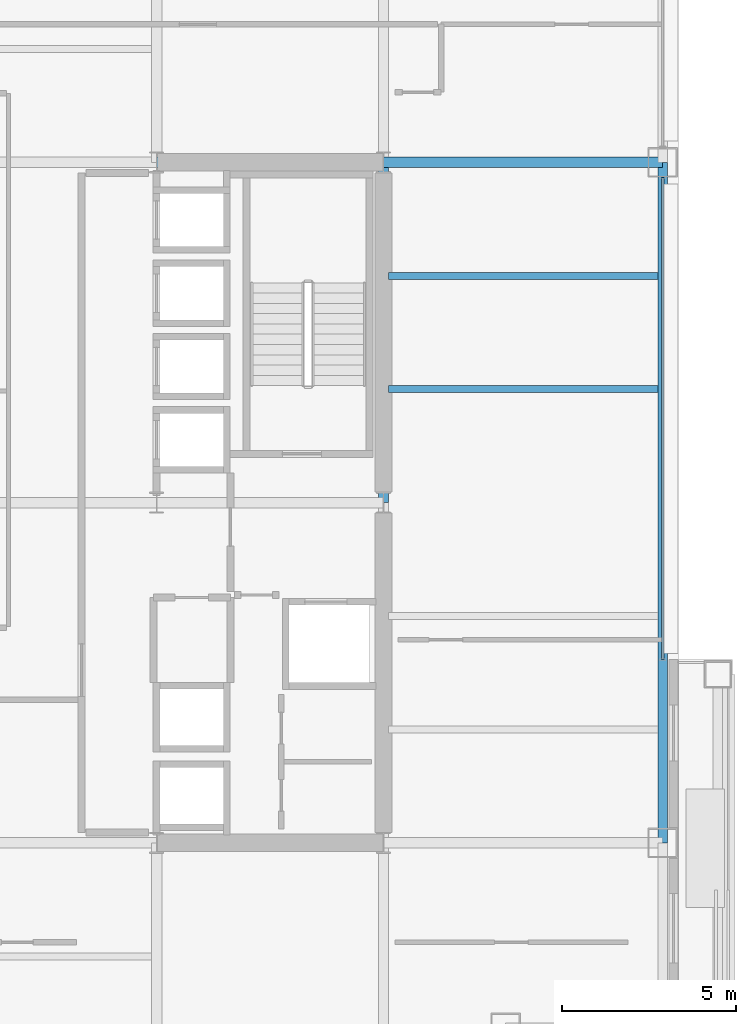
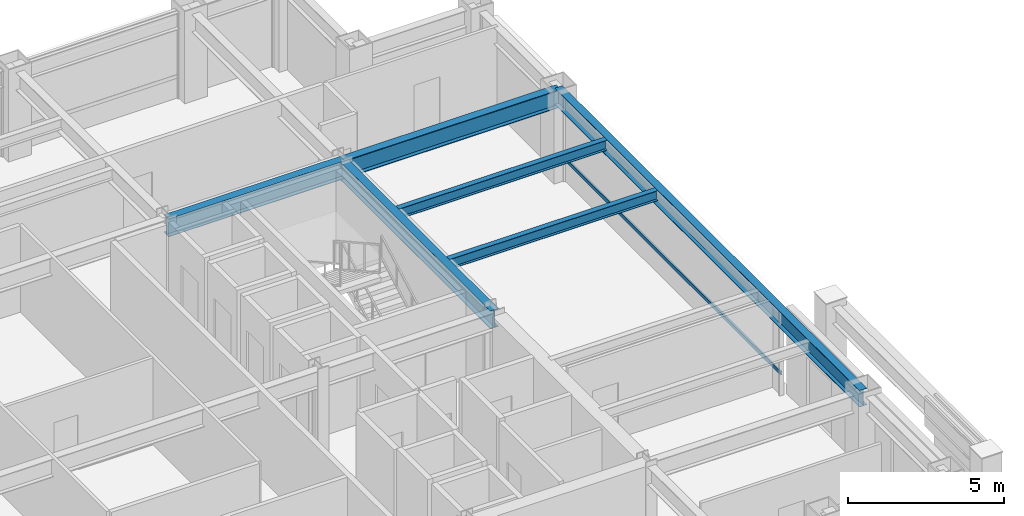
# One storey, part 16 of 31: 6 beams, 1 member, 1 element without a shape of its own.
"""IFC4 building model written with IfcOpenShell, lengths in metres."""

import ifcopenshell
import ifcopenshell.guid

model = None  # the IFC model being written
_history = None  # IfcOwnerHistory: only IFC2X3 demands one
_inside = {}  # id of a spatial element -> (the spatial element, [elements in it])
_under = {}  # id of a project, library or spatial element -> (it, [spatial elements below it])
_declared = {}  # id of a project -> (the project, [libraries it declares])
_typed = {}  # id of a type object -> (the type object, [elements of that type])
_made_of = {}  # id of a material, layer set ... -> (it, [elements and type objects made of it])


def new_model(schema):
    """Start an empty IFC model of exactly this schema.

    Asked for "IFC4X3", IfcOpenShell would pick the latest addendum, in which some entities
    have other attributes; the version numbers below select the first issue.
    IFC2X3 requires an IfcOwnerHistory on every rooted entity: one is made here for all.
    """
    global model, _history
    if schema == "IFC4X3":
        model = ifcopenshell.file(schema_version=(4, 3, 0, 0))
    else:
        model = ifcopenshell.file(schema=schema)
    _inside.clear()
    _under.clear()
    _declared.clear()
    _typed.clear()
    _made_of.clear()
    _history = None
    if model.schema == "IFC2X3":
        org = make("IfcOrganization", Name="unknown")
        user = make(
            "IfcPersonAndOrganization",
            ThePerson=make("IfcPerson", FamilyName="unknown"),
            TheOrganization=org,
        )
        app = make(
            "IfcApplication",
            ApplicationDeveloper=org,
            Version="unknown",
            ApplicationFullName="unknown",
            ApplicationIdentifier="unknown",
        )
        _history = make(
            "IfcOwnerHistory",
            OwningUser=user,
            OwningApplication=app,
            ChangeAction="ADDED",
            CreationDate=0,
        )
    return model


def make(cls, **values):
    """One entity of the class cls with the attributes given. An attribute that is None is left unset."""
    return model.create_entity(
        cls, **{name: value for name, value in values.items() if value is not None}
    )


def rooted(cls, **values):
    """An entity with a GlobalId (a new one), such as an element, a storey or a relation."""
    return make(cls, GlobalId=ifcopenshell.guid.new(), OwnerHistory=_history, **values)


def si_unit(unit_type, name, prefix=None):
    """IfcSIUnit, for example si_unit("LENGTHUNIT", "METRE", prefix="MILLI")."""
    return make("IfcSIUnit", UnitType=unit_type, Prefix=prefix, Name=name)


def assignment(units):
    """IfcUnitAssignment: the units of a project."""
    return None if units is None else make("IfcUnitAssignment", Units=units)


def point(xyz):
    """IfcCartesianPoint."""
    return None if xyz is None else make("IfcCartesianPoint", Coordinates=xyz)


def direction(xyz):
    """IfcDirection."""
    return None if xyz is None else make("IfcDirection", DirectionRatios=xyz)


def frame(location, z_axis=None, x_axis=None):
    """IfcAxis2Placement3D, a coordinate frame: its origin and axes. An axis left out is left unset."""
    return make(
        "IfcAxis2Placement3D",
        Location=point(location),
        Axis=direction(z_axis),
        RefDirection=direction(x_axis),
    )


def frame_2d(location, x_axis=None):
    """IfcAxis2Placement2D, a coordinate frame in the plane: its origin and x axis."""
    return make(
        "IfcAxis2Placement2D", Location=point(location), RefDirection=direction(x_axis)
    )


def origin():
    """The frame at (0, 0, 0) with its axes left unset."""
    return frame((0.0, 0.0, 0.0))


def origin_2d():
    """The frame at (0, 0) in the plane with its x axis left unset."""
    return frame_2d((0.0, 0.0))


def place(relative_to, where):
    """IfcLocalPlacement: puts the frame where relative to a parent placement (None: the world)."""
    return make(
        "IfcLocalPlacement", PlacementRelTo=relative_to, RelativePlacement=where
    )


def context(
    kind, dimensions, precision=None, world=None, true_north=None, identifier=None
):
    """IfcGeometricRepresentationContext, for example the 3D "Model" context."""
    return make(
        "IfcGeometricRepresentationContext",
        ContextIdentifier=identifier,
        ContextType=kind,
        CoordinateSpaceDimension=dimensions,
        Precision=precision,
        WorldCoordinateSystem=world,
        TrueNorth=true_north,
    )


def subcontext(parent, identifier, kind, view, scale=None):
    """IfcGeometricRepresentationSubContext, for example "Body" below "Model"."""
    return make(
        "IfcGeometricRepresentationSubContext",
        ContextIdentifier=identifier,
        ContextType=kind,
        ParentContext=parent,
        TargetScale=scale,
        TargetView=view,
    )


def project(units=None, contexts=None):
    """IfcProject with its units and contexts."""
    return rooted(
        "IfcProject",
        Name="project",
        RepresentationContexts=contexts,
        UnitsInContext=assignment(units),
    )


def spatial(cls, under=None, at=None, **own):
    """A site, building, storey or space (cls), placed at a placement, below another one or the project."""
    s = rooted(cls, ObjectPlacement=at, **own)
    if under is not None:
        _under.setdefault(under.id(), (under, []))[1].append(s)
    return s


def profile(cls, at=None, kind="AREA", **sizes):
    """A parametric profile (cls). Its sizes go by their IFC names, for example OverallWidth=200.0."""
    return make(cls, ProfileType=kind, Position=at, **sizes)


def hollow_rectangle(**sizes):
    """IfcRectangleHollowProfileDef."""
    return profile("IfcRectangleHollowProfileDef", **sizes)


def i_section(**sizes):
    """IfcIShapeProfileDef."""
    return profile("IfcIShapeProfileDef", **sizes)


def extrude(swept, where, along, depth):
    """IfcExtrudedAreaSolid: the profile swept, set in the frame where, extruded along a direction by depth."""
    return make(
        "IfcExtrudedAreaSolid",
        SweptArea=swept,
        Position=where,
        ExtrudedDirection=direction(along),
        Depth=depth,
    )


def shape(context_of_items, identifier, shape_type, items):
    """IfcShapeRepresentation: the items that make up one representation, for example the "Body"."""
    return make(
        "IfcShapeRepresentation",
        ContextOfItems=context_of_items,
        RepresentationIdentifier=identifier,
        RepresentationType=shape_type,
        Items=items,
    )


def material(Name=None, Category=None):
    """IfcMaterial."""
    return make("IfcMaterial", Name=Name, Category=Category)


def layer(
    of_material, thickness, ventilated=None, Name=None, Category=None, Priority=None
):
    """IfcMaterialLayer: one layer of a wall or slab, of a material (None: an air gap)."""
    return make(
        "IfcMaterialLayer",
        Material=of_material,
        LayerThickness=thickness,
        IsVentilated=ventilated,
        Name=Name,
        Category=Category,
        Priority=Priority,
    )


def layer_set(layers, Name=None):
    """IfcMaterialLayerSet."""
    return make("IfcMaterialLayerSet", MaterialLayers=layers, LayerSetName=Name)


def material_profile(
    of_material, cross_section, Name=None, Category=None, Priority=None
):
    """IfcMaterialProfile: a cross section and its material."""
    return make(
        "IfcMaterialProfile",
        Name=Name,
        Material=of_material,
        Profile=cross_section,
        Priority=Priority,
        Category=Category,
    )


def profile_set(profiles, Name=None, composite=None):
    """IfcMaterialProfileSet."""
    return make(
        "IfcMaterialProfileSet",
        Name=Name,
        MaterialProfiles=profiles,
        CompositeProfile=composite,
    )


def made_of(thing, what):
    """Note that an element or type object is made of a material, layer set ...; save() writes the relation."""
    if what is not None:
        _made_of.setdefault(what.id(), (what, []))[1].append(thing)
    return thing


def type_object(cls, material=None, **own):
    """A type object (cls), such as IfcWallType, which elements share."""
    return made_of(rooted(cls, **own), material)


def element(
    cls,
    number,
    at=None,
    inside=None,
    cuts=None,
    type_object=None,
    material=None,
    context=None,
    identifier="Body",
    shape_type=None,
    held_by="IfcProductDefinitionShape",
    body=None,
    shapes=None,
    **own,
):
    """One element of the class cls, such as IfcWall. Its Tag is "e" and its number.

    at: its placement. inside: the storey or other place that contains it. cuts: it is an
    opening in that element (IfcRelVoidsElement). A single representation is given by context,
    identifier, shape_type and body (its items); several are given by shapes. held_by: the class
    of the entity that holds the representations. save() writes the other relations.
    """
    e = rooted(cls, Tag="e%d" % number, ObjectPlacement=at, **own)
    if body is not None:
        shapes = [shape(context, identifier, shape_type, body)]
    if shapes is not None:
        e.Representation = make(held_by, Representations=shapes)
    if inside is not None:
        _inside.setdefault(inside.id(), (inside, []))[1].append(e)
    if cuts is not None:
        rooted(
            "IfcRelVoidsElement", RelatingBuildingElement=cuts, RelatedOpeningElement=e
        )
    if type_object is not None:
        _typed.setdefault(type_object.id(), (type_object, []))[1].append(e)
    return made_of(e, material)


def aggregate(whole, parts):
    """IfcRelAggregates: a whole, such as a stair, and the parts it consists of."""
    return rooted("IfcRelAggregates", RelatingObject=whole, RelatedObjects=parts)


def save(model, path):
    """Write the relations noted so far, then the file.

    IfcRelAggregates (storeys below a building ...), IfcRelContainedInSpatialStructure (elements
    in a storey), IfcRelDefinesByType, IfcRelAssociatesMaterial and IfcRelDeclares: one each for
    every whole, place, type object, material and project.
    """
    for whole, parts in _under.values():
        aggregate(whole, parts)
    for where, things in _inside.values():
        rooted(
            "IfcRelContainedInSpatialStructure",
            RelatedElements=things,
            RelatingStructure=where,
        )
    for kind, things in _typed.values():
        rooted("IfcRelDefinesByType", RelatedObjects=things, RelatingType=kind)
    for what, things in _made_of.values():
        rooted("IfcRelAssociatesMaterial", RelatedObjects=things, RelatingMaterial=what)
    for by, libraries in _declared.values():
        rooted("IfcRelDeclares", RelatingContext=by, RelatedDefinitions=libraries)
    model.write(path)


model = new_model("IFC4")

# Units and contexts
model_context = context("Model", 3, precision=1e-05, world=origin(), true_north=direction((0.0, 1.0)))
body_context = subcontext(model_context, "Body", "Model", "MODEL_VIEW")
ifc_project = project(units=[si_unit("LENGTHUNIT", "METRE"), si_unit("AREAUNIT", "SQUARE_METRE"), si_unit("VOLUMEUNIT", "CUBIC_METRE"), si_unit("PLANEANGLEUNIT", "RADIAN"), si_unit("MASSUNIT", "GRAM", prefix="KILO")], contexts=[model_context])

# Site, building, storey
site_placement = place(None, origin())
site = spatial("IfcSite", under=ifc_project, at=site_placement, CompositionType="ELEMENT")
building_placement = place(site_placement, origin())
building = spatial("IfcBuilding", under=site, at=building_placement, Name="Brelmoor Portico Tower", CompositionType="ELEMENT")
storey_placement = place(building_placement, frame((0.0, 0.0, 113.39990234375)))
storey = spatial("IfcBuildingStorey", under=building, at=storey_placement, Name="L29", CompositionType="ELEMENT", Elevation=113.39990234375)

# Beams
ifc_material_1 = material(Name="Steel Q355B", Category="steel")
ifc_material_profile_1 = material_profile(ifc_material_1, i_section(OverallWidth=0.199951171875, OverallDepth=0.39990234375, WebThickness=0.008056640625, FlangeThickness=0.012939453125, at=origin_2d()), Name="HN 400x200x8x13")
ifc_profile_set_1 = profile_set([ifc_material_profile_1], Name="Steel Q355B")
beam_type_1 = type_object("IfcBeamType", Name="BM-JS-400", PredefinedType="JOIST", material=ifc_profile_set_1)
for number, where, z_axis, x_axis, name in (
    (1, (14.699951171875, 3.25, 3.2001953125), (1.0, 0.0, 0.0), (0.0, 1.0, 0.0), "L29 Secondary Wing Joist JS-E11"),
    (2, (14.699951171875, 6.5, 3.2001953125), (1.0, 0.0, 0.0), (0.0, 1.0, 0.0), "L29 Secondary Wing Joist JS-E12"),
):
    element("IfcBeam", number, at=place(storey_placement, frame(where, z_axis=z_axis, x_axis=x_axis)), inside=storey, type_object=beam_type_1, Name=name, PredefinedType="JOIST", context=body_context, shape_type="SweptSolid", body=[
        extrude(i_section(OverallWidth=0.199951171875, OverallDepth=0.39990234375, WebThickness=0.008056640625, FlangeThickness=0.012939453125, at=origin_2d()), origin(), (0.0, 0.0, 1.0), 7.7099609375),
    ])
ifc_material_profile_2 = material_profile(ifc_material_1, i_section(OverallWidth=0.300048828125, OverallDepth=0.699951171875, WebThickness=0.012939453125, FlangeThickness=0.02392578125, at=origin_2d()), Name="HN 700x300x13x24")
ifc_profile_set_2 = profile_set([ifc_material_profile_2], Name="Steel Q355B")
beam_type_2 = type_object("IfcBeamType", Name="BM-PG-700", PredefinedType="BEAM", material=ifc_profile_set_2)
beam_1_placement = place(storey_placement, frame((14.550048828125, 0.0, 3.050048828125), z_axis=(0.0, 1.0, 0.0), x_axis=(-1.0, 0.0, 0.0)))
element("IfcBeam", 3, at=beam_1_placement, inside=storey, type_object=beam_type_2, Name="L29 Primary Floor Girder PG-12", PredefinedType="BEAM", context=body_context, shape_type="SweptSolid", body=[
    extrude(i_section(OverallWidth=0.300048828125, OverallDepth=0.699951171875, WebThickness=0.012939453125, FlangeThickness=0.02392578125, at=origin_2d()), origin(), (0.0, 0.0, 1.0), 9.75),
])
beam_2_placement = place(storey_placement, frame((8.050048828125, 9.75, 3.050048828125), z_axis=(1.0, 0.0, 0.0), x_axis=(0.0, 1.0, 0.0)))
element("IfcBeam", 4, at=beam_2_placement, inside=storey, type_object=beam_type_2, Name="L29 Primary Floor Girder PG-25", PredefinedType="BEAM", context=body_context, shape_type="SweptSolid", body=[
    extrude(i_section(OverallWidth=0.300048828125, OverallDepth=0.699951171875, WebThickness=0.012939453125, FlangeThickness=0.02392578125, at=origin_2d()), origin(), (0.0, 0.0, 1.0), 6.5),
])
beam_3_placement = place(storey_placement, frame((14.550048828125, 9.75, 3.050048828125), z_axis=(1.0, 0.0, 0.0), x_axis=(0.0, 1.0, 0.0)))
element("IfcBeam", 5, at=beam_3_placement, inside=storey, type_object=beam_type_2, Name="L29 Primary Floor Girder PG-26", PredefinedType="BEAM", context=body_context, shape_type="SweptSolid", body=[
    extrude(i_section(OverallWidth=0.300048828125, OverallDepth=0.699951171875, WebThickness=0.012939453125, FlangeThickness=0.02392578125, at=origin_2d()), origin(), (0.0, 0.0, 1.0), 8.0),
])
ifc_material_profile_3 = material_profile(ifc_material_1, i_section(OverallWidth=0.280029296875, OverallDepth=0.64990234375, WebThickness=0.012939453125, FlangeThickness=0.02197265625, at=origin_2d()), Name="HN 650x280x13x22")
ifc_profile_set_3 = profile_set([ifc_material_profile_3], Name="Steel Q355B")
beam_type_3 = type_object("IfcBeamType", Name="BM-SP-650", PredefinedType="SPANDREL", material=ifc_profile_set_3)
beam_4_placement = place(storey_placement, frame((22.550048828125, -9.75, 3.0751953125), z_axis=(0.0, 1.0, 0.0), x_axis=(-1.0, 0.0, 0.0)))
element("IfcBeam", 6, at=beam_4_placement, inside=storey, type_object=beam_type_3, Name="L29 Perimeter Spandrel Beam SP-23", PredefinedType="SPANDREL", context=body_context, shape_type="SweptSolid", body=[
    extrude(i_section(OverallWidth=0.280029296875, OverallDepth=0.64990234375, WebThickness=0.012939453125, FlangeThickness=0.02197265625, at=origin_2d()), origin(), (0.0, 0.0, 1.0), 19.5),
])

# Curtain wall, member
ifc_material_2 = material(Name="Anodised Aluminium Alloy 6063-T6", Category="aluminium")
ifc_layer = layer(ifc_material_2, 0.179931640625)
ifc_layer_set = layer_set([ifc_layer], Name="Anodised Aluminium Alloy 6063-T6")
curtain_wall_type = type_object("IfcCurtainWallType", Name="CW-TOWER-Z2", PredefinedType="NOTDEFINED", material=ifc_layer_set)
curtain_wall_placement = place(storey_placement, origin())
curtain_wall = element("IfcCurtainWall", 7, at=curtain_wall_placement, inside=storey, type_object=curtain_wall_type, Name="L29 Curtain Wall CW-L29-4R-1", PredefinedType="NOTDEFINED")
ifc_material_profile_4 = material_profile(ifc_material_2, hollow_rectangle(XDim=0.06494140625, YDim=0.139892578125, WallThickness=0.00390625, at=origin_2d()), Name="ALU TRANSOM 65x140")
ifc_profile_set_4 = profile_set([ifc_material_profile_4], Name="Anodised Aluminium Alloy 6063-T6")
member_type = type_object("IfcMemberType", Name="MB-CW-TRAN-140", PredefinedType="USERDEFINED", material=ifc_profile_set_4)
member_placement = place(storey_placement, frame((22.550048828125, -4.5, 0.85009765625), z_axis=(0.0, 1.0, 0.0), x_axis=(-1.0, 0.0, 0.0)))
member = element("IfcMember", 8, at=member_placement, type_object=member_type, Name="CW-L29-4R-1 Transom 1-00", ObjectType="TRANSOM", PredefinedType="USERDEFINED", context=body_context, shape_type="SweptSolid", body=[
    extrude(hollow_rectangle(XDim=0.06494140625, YDim=0.139892578125, WallThickness=0.00390625, at=origin_2d()), origin(), (0.0, 0.0, 1.0), 13.81494140625),
])
aggregate(curtain_wall, [member])

save(model, "model.ifc")
